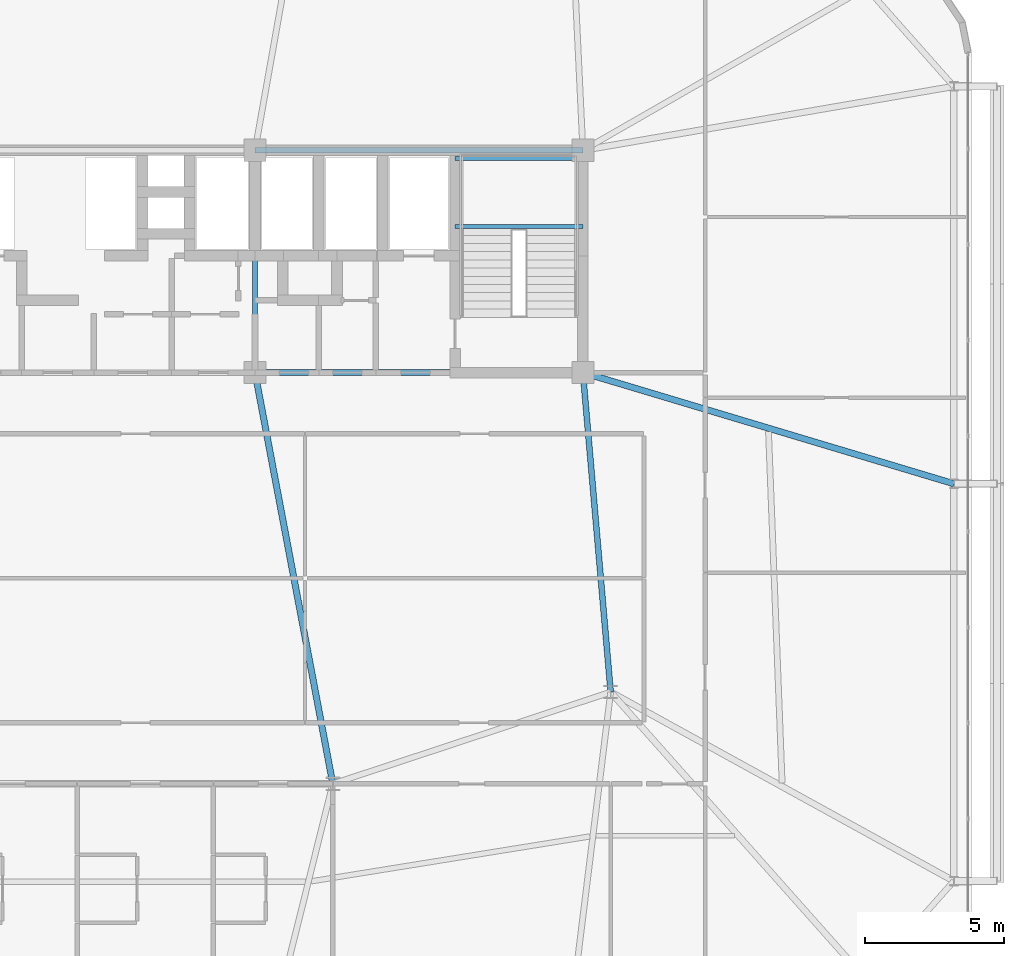
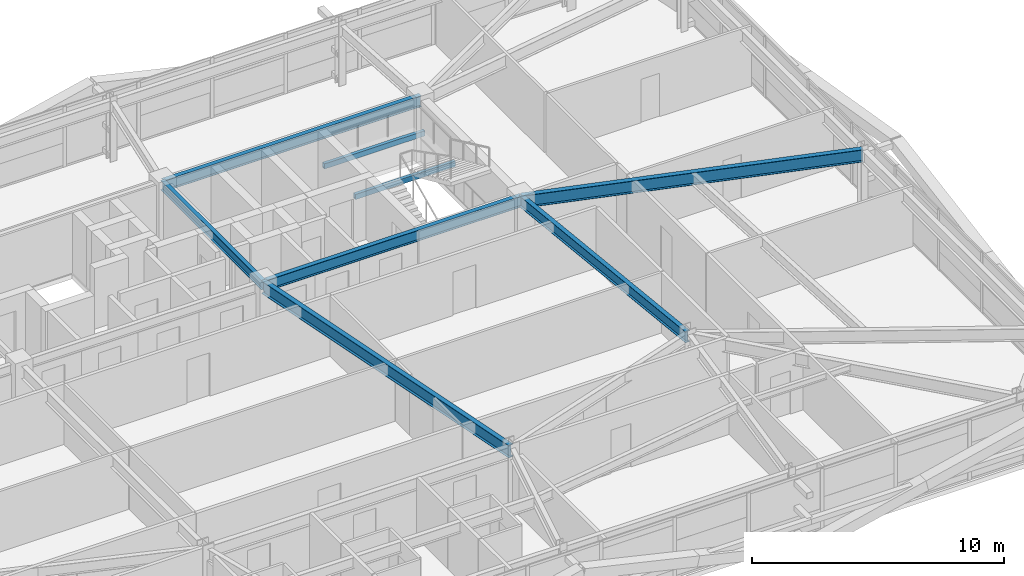
# One storey, part 29 of 59: 8 beams.
"""IFC4 building model written with IfcOpenShell, lengths in metres."""

from ifc_helpers import new_model, si_unit, direction, frame, origin, origin_2d, place, context, subcontext, project, spatial, hollow_rectangle, i_section, extrude, source, transform, mapped, material, material_profile, profile_set, type_object, element, save


model = new_model("IFC4")

# Units and contexts
model_context = context("Model", 3, precision=1e-05, world=origin(), true_north=direction((0.0, 1.0)))
body_context = subcontext(model_context, "Body", "Model", "MODEL_VIEW")
ifc_project = project(units=[si_unit("LENGTHUNIT", "METRE"), si_unit("AREAUNIT", "SQUARE_METRE"), si_unit("VOLUMEUNIT", "CUBIC_METRE"), si_unit("PLANEANGLEUNIT", "RADIAN"), si_unit("MASSUNIT", "GRAM", prefix="KILO")], contexts=[model_context])

# Site, building, storey
site_placement = place(None, origin())
site = spatial("IfcSite", under=ifc_project, at=site_placement, CompositionType="ELEMENT")
building_placement = place(site_placement, origin())
building = spatial("IfcBuilding", under=site, at=building_placement, Name="Taldren Reach Tower", CompositionType="ELEMENT")
storey_placement = place(building_placement, frame((0.0, 0.0, 48.300048828125)))
storey = spatial("IfcBuildingStorey", under=building, at=storey_placement, Name="L14", CompositionType="ELEMENT", Elevation=48.300048828125)

# Beams
ifc_material_1 = material(Name="Steel Gr 350 (350PLUS)", Category="steel")
ifc_material_profile_1 = material_profile(ifc_material_1, i_section(OverallWidth=0.208984375, OverallDepth=0.532958984375, WebThickness=0.01025390625, FlangeThickness=0.015625, at=origin_2d()), Name="530UB92.4")
ifc_profile_set_1 = profile_set([ifc_material_profile_1], Name="Steel Gr 350 (350PLUS)")
beam_type_1 = type_object("IfcBeamType", Name="BM-UB530A", PredefinedType="BEAM", material=ifc_profile_set_1)
shared_shape_1 = source(origin(), body_context, "Body", "SweptSolid", [
    extrude(i_section(OverallWidth=0.208984375, OverallDepth=0.532958984375, WebThickness=0.01025390625, FlangeThickness=0.015625, at=origin_2d()), origin(), (0.0, 0.0, 1.0), 11.800048828125),
])
for number, where, z_axis, x_axis, name in (
    (1, (39.199951171875, 24.0, 2.663330078125), (1.0, 0.0, 0.0), (0.0, 1.0, 0.0), "Core-spine girder L14-SP03"),
    (2, (39.199951171875, 32.0, 2.663330078125), (1.0, 0.0, 0.0), (0.0, 1.0, 0.0), "Core-spine girder L14-SP06"),
):
    element("IfcBeam", number, at=place(storey_placement, frame(where, z_axis=z_axis, x_axis=x_axis)), inside=storey, type_object=beam_type_1, Name=name, PredefinedType="BEAM", context=body_context, shape_type="MappedRepresentation", body=[
        mapped(shared_shape_1, transform((0.0, 0.0, 0.0), scale=1.0)),
    ])
ifc_material_profile_2 = material_profile(ifc_material_1, i_section(OverallWidth=0.19091796875, OverallDepth=0.4599609375, WebThickness=0.010009765625, FlangeThickness=0.01611328125, at=origin_2d()), Name="460UB82.1")
ifc_profile_set_2 = profile_set([ifc_material_profile_2], Name="Steel Gr 350 (350PLUS)")
beam_type_2 = type_object("IfcBeamType", Name="BM-UB460A", PredefinedType="BEAM", material=ifc_profile_set_2)
shared_shape_2 = source(origin(), body_context, "Body", "SweptSolid", [
    extrude(i_section(OverallWidth=0.19091796875, OverallDepth=0.4599609375, WebThickness=0.010009765625, FlangeThickness=0.01611328125, at=origin_2d()), origin(), (0.0, 0.0, 1.0), 8.0),
])
beam_1_placement = place(storey_placement, frame((39.199951171875, 24.0, 2.699951171875), z_axis=(0.0, 1.0, 0.0), x_axis=(-1.0, 0.0, 0.0)))
element("IfcBeam", 3, at=beam_1_placement, inside=storey, type_object=beam_type_2, Name="Core-spine girder L14-SP08", PredefinedType="BEAM", context=body_context, shape_type="MappedRepresentation", body=[
    mapped(shared_shape_2, transform((0.0, 0.0, 0.0), scale=1.0)),
])
shared_shape_3 = source(origin(), body_context, "Body", "SweptSolid", [
    extrude(i_section(OverallWidth=0.208984375, OverallDepth=0.532958984375, WebThickness=0.01025390625, FlangeThickness=0.015625, at=origin_2d()), origin(), (0.0, 0.0, 1.0), 11.54345703125),
])
beam_2_placement = place(storey_placement, frame((52.0, 12.5, 2.663330078125), z_axis=(-0.086629616365, 0.996240588196, 0.0), x_axis=(-0.996240588196, -0.086629616365, 0.0)))
element("IfcBeam", 4, at=beam_2_placement, inside=storey, type_object=beam_type_1, Name="Core-spine girder L14-SP13", PredefinedType="BEAM", context=body_context, shape_type="MappedRepresentation", body=[
    mapped(shared_shape_3, transform((0.0, 0.0, 0.0), scale=1.0)),
])
ifc_material_profile_3 = material_profile(ifc_material_1, i_section(OverallWidth=0.22802734375, OverallDepth=0.60205078125, WebThickness=0.010498046875, FlangeThickness=0.014892578125, at=origin_2d()), Name="610UB101")
ifc_profile_set_3 = profile_set([ifc_material_profile_3], Name="Steel Gr 350 (350PLUS)")
beam_type_3 = type_object("IfcBeamType", Name="BM-UB610B", PredefinedType="BEAM", material=ifc_profile_set_3)
shared_shape_4 = source(origin(), body_context, "Body", "SweptSolid", [
    extrude(i_section(OverallWidth=0.22802734375, OverallDepth=0.60205078125, WebThickness=0.010498046875, FlangeThickness=0.014892578125, at=origin_2d()), origin(), (0.0, 0.0, 1.0), 15.0625),
])
beam_3_placement = place(storey_placement, frame((39.199951171875, 24.0, 2.62890625), z_axis=(0.185894205668, -0.982569765614, 0.0), x_axis=(0.982569765614, 0.185894205668, 0.0)))
element("IfcBeam", 5, at=beam_3_placement, inside=storey, type_object=beam_type_3, Name="Core-spine girder L14-SP15", PredefinedType="BEAM", context=body_context, shape_type="MappedRepresentation", body=[
    mapped(shared_shape_4, transform((0.0, 0.0, 0.0), scale=1.0)),
])
shared_shape_5 = source(origin(), body_context, "Body", "SweptSolid", [
    extrude(i_section(OverallWidth=0.22802734375, OverallDepth=0.60205078125, WebThickness=0.010498046875, FlangeThickness=0.014892578125, at=origin_2d()), origin(), (0.0, 0.0, 1.0), 13.9365234375),
])
beam_4_placement = place(storey_placement, frame((51.0, 24.0, 2.62890625), z_axis=(0.957925550891, -0.287016792104, 0.0), x_axis=(0.287016792104, 0.957925550891, 0.0)))
element("IfcBeam", 6, at=beam_4_placement, inside=storey, type_object=beam_type_3, Name="Primary floor girder B1-E2 L14", PredefinedType="BEAM", context=body_context, shape_type="MappedRepresentation", body=[
    mapped(shared_shape_5, transform((0.0, 0.0, 0.0), scale=1.0)),
])
ifc_material_2 = material(Name="Steel Gr 350 (C350L0)", Category="steel")
ifc_material_profile_4 = material_profile(ifc_material_2, hollow_rectangle(XDim=0.14990234375, YDim=0.25, WallThickness=0.009033203125, at=origin_2d()), Name="250x150x9.0RHS")
ifc_profile_set_4 = profile_set([ifc_material_profile_4], Name="Steel Gr 350 (C350L0)")
beam_type_4 = type_object("IfcBeamType", Name="LN-RHS250", PredefinedType="LINTEL", material=ifc_profile_set_4)
shared_shape_6 = source(origin(), body_context, "Body", "SweptSolid", [
    extrude(hollow_rectangle(XDim=0.14990234375, YDim=0.25, WallThickness=0.009033203125, at=origin_2d()), origin(), (0.0, 0.0, 1.0), 4.60009765625),
])
for number, where, z_axis, x_axis, name in (
    (7, (46.39990234375, 29.2548828125, 1.27001953125), (1.0, 0.0, 0.0), (0.0, 1.0, 0.0), "Stair half-landing support beam ST2-L14-1"),
    (8, (46.39990234375, 31.699951171875, 1.27001953125), (1.0, 0.0, 0.0), (0.0, 1.0, 0.0), "Stair half-landing support beam ST2-L14-2"),
):
    element("IfcBeam", number, at=place(storey_placement, frame(where, z_axis=z_axis, x_axis=x_axis)), inside=storey, type_object=beam_type_4, Name=name, PredefinedType="LINTEL", context=body_context, shape_type="MappedRepresentation", body=[
        mapped(shared_shape_6, transform((0.0, 0.0, 0.0), scale=1.0)),
    ])

save(model, "model.ifc")
